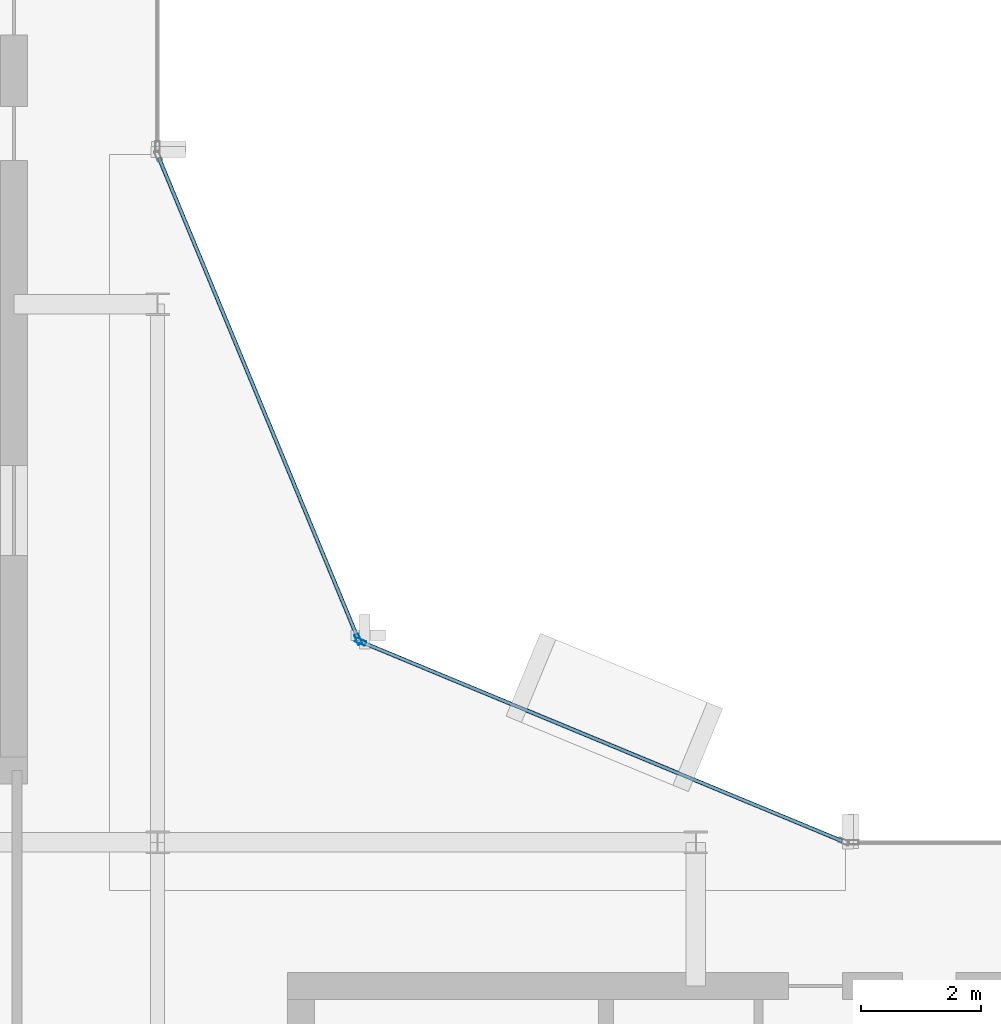
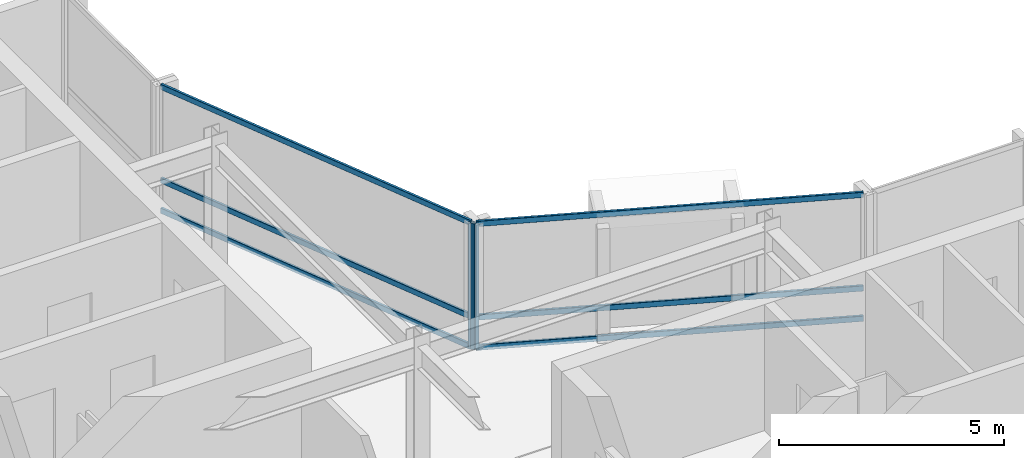
# One storey, part 8 of 19: 8 members, 2 elements without a shape of their own.
"""IFC4 building model written with IfcOpenShell, lengths in metres."""

from ifc_helpers import new_model, si_unit, direction, frame, origin, origin_2d, place, context, subcontext, project, spatial, hollow_rectangle, extrude, material, layer, layer_set, material_profile, profile_set, type_object, element, aggregate, save


model = new_model("IFC4")

# Units and contexts
model_context = context("Model", 3, precision=1e-05, world=origin(), true_north=direction((0.0, 1.0)))
body_context = subcontext(model_context, "Body", "Model", "MODEL_VIEW")
ifc_project = project(units=[si_unit("LENGTHUNIT", "METRE"), si_unit("AREAUNIT", "SQUARE_METRE"), si_unit("VOLUMEUNIT", "CUBIC_METRE"), si_unit("PLANEANGLEUNIT", "RADIAN"), si_unit("MASSUNIT", "GRAM", prefix="KILO")], contexts=[model_context])

# Site, building, storey
site_placement = place(None, origin())
site = spatial("IfcSite", under=ifc_project, at=site_placement, CompositionType="ELEMENT")
building_placement = place(site_placement, origin())
building = spatial("IfcBuilding", under=site, at=building_placement, Name="Solvaryn Broadcast Tower", CompositionType="ELEMENT")
storey_placement = place(building_placement, frame((0.0, 0.0, 266.699951171875)))
storey = spatial("IfcBuildingStorey", under=building, at=storey_placement, Name="L67", CompositionType="ELEMENT", Elevation=266.699951171875)

# Curtain wall, member
ifc_material_1 = material(Name="Aluminium and Terracotta Unitised Curtain Wall", Category="masonry")
ifc_layer = layer(ifc_material_1, 0.199951171875)
ifc_layer_set = layer_set([ifc_layer], Name="CW-SYS2-LOWMID")
curtain_wall_type = type_object("IfcCurtainWallType", Name="CW-SYS2-LOWMID", PredefinedType="NOTDEFINED", material=ifc_layer_set)
curtain_wall_1_placement = place(storey_placement, origin())
curtain_wall_1 = element("IfcCurtainWall", 1, at=curtain_wall_1_placement, inside=storey, type_object=curtain_wall_type, Name="L67 Curtain Wall CN1", PredefinedType="NOTDEFINED")
ifc_material_2 = material(Name="Anodised Aluminium 6063-T6", Category="aluminium")
ifc_material_profile_1 = material_profile(ifc_material_2, hollow_rectangle(XDim=0.074951171875, YDim=0.179931640625, WallThickness=0.00390625, InnerFilletRadius=0.00390625, OuterFilletRadius=0.008056640625, at=origin_2d()))
ifc_profile_set_1 = profile_set([ifc_material_profile_1], Name="Anodised Aluminium 6063-T6")
member_type_1 = type_object("IfcMemberType", Name="CW-MUL-180", PredefinedType="MULLION", material=ifc_profile_set_1)
member_1_placement = place(storey_placement, frame((30.395751953125, 30.3564453125, 0.0), z_axis=(0.0, 0.0, 1.0), x_axis=(-0.382646127145, -0.923894983957, 0.0)))
member_1 = element("IfcMember", 2, at=member_1_placement, type_object=member_type_1, Name="CWS2 mullion 2", PredefinedType="MULLION", context=body_context, shape_type="SweptSolid", body=[
    extrude(hollow_rectangle(XDim=0.074951171875, YDim=0.179931640625, WallThickness=0.00390625, InnerFilletRadius=0.00390625, OuterFilletRadius=0.008056640625, at=origin_2d()), origin(), (0.0, 0.0, 1.0), 3.420166015625),
])

curtain_wall_2_placement = place(storey_placement, origin())
curtain_wall_2 = element("IfcCurtainWall", 3, at=curtain_wall_2_placement, inside=storey, type_object=curtain_wall_type, Name="L67 Curtain Wall CN2", PredefinedType="NOTDEFINED")
member_2_placement = place(storey_placement, frame((30.3564453125, 30.395751953125, 0.0), z_axis=(0.0, 0.0, 1.0), x_axis=(-0.923894983957, -0.382646127145, 0.0)))
member_2 = element("IfcMember", 4, at=member_2_placement, type_object=member_type_1, Name="CWS2 mullion 1", PredefinedType="MULLION", context=body_context, shape_type="SweptSolid", body=[
    extrude(hollow_rectangle(XDim=0.074951171875, YDim=0.179931640625, WallThickness=0.00390625, InnerFilletRadius=0.00390625, OuterFilletRadius=0.008056640625, at=origin_2d()), origin(), (0.0, 0.0, 1.0), 3.420166015625),
])

# Member
ifc_material_3 = material(Name="Anodised Aluminium 6063-T6", Category="aluminium")
ifc_material_profile_2 = material_profile(ifc_material_3, hollow_rectangle(XDim=0.06494140625, YDim=0.14990234375, WallThickness=0.00390625, InnerFilletRadius=0.00390625, OuterFilletRadius=0.008056640625, at=origin_2d()))
ifc_profile_set_2 = profile_set([ifc_material_profile_2], Name="Anodised Aluminium 6063-T6")
member_type_2 = type_object("IfcMemberType", Name="CW-TRN-150", PredefinedType="USERDEFINED", material=ifc_profile_set_2)
member_3_placement = place(storey_placement, frame((38.444580078125, 27.02294921875, 0.030029296875), z_axis=(-0.923899282177, 0.382635748975, 0.0), x_axis=(-0.382635748975, -0.923899282177, 0.0)))
member_3 = element("IfcMember", 5, at=member_3_placement, type_object=member_type_2, Name="CWS2 transom 1.1", ObjectType="TRANSOM", PredefinedType="USERDEFINED", context=body_context, shape_type="SweptSolid", body=[
    extrude(hollow_rectangle(XDim=0.06494140625, YDim=0.14990234375, WallThickness=0.00390625, InnerFilletRadius=0.00390625, OuterFilletRadius=0.008056640625, at=origin_2d()), origin(), (0.0, 0.0, 1.0), 8.681884765625),
])

member_4_placement = place(storey_placement, frame((38.444580078125, 27.02294921875, 0.85009765625), z_axis=(-0.923899282177, 0.382635748975, 0.0), x_axis=(-0.382635748975, -0.923899282177, 0.0)))
member_4 = element("IfcMember", 6, at=member_4_placement, type_object=member_type_2, Name="CWS2 transom 1.2", ObjectType="TRANSOM", PredefinedType="USERDEFINED", context=body_context, shape_type="SweptSolid", body=[
    extrude(hollow_rectangle(XDim=0.06494140625, YDim=0.14990234375, WallThickness=0.00390625, InnerFilletRadius=0.00390625, OuterFilletRadius=0.008056640625, at=origin_2d()), origin(), (0.0, 0.0, 1.0), 8.681884765625),
])

member_5_placement = place(storey_placement, frame((38.444580078125, 27.02294921875, 3.39013671875), z_axis=(-0.923899282177, 0.382635748975, 0.0), x_axis=(-0.382635748975, -0.923899282177, 0.0)))
member_5 = element("IfcMember", 7, at=member_5_placement, type_object=member_type_2, Name="CWS2 transom 1.3", ObjectType="TRANSOM", PredefinedType="USERDEFINED", context=body_context, shape_type="SweptSolid", body=[
    extrude(hollow_rectangle(XDim=0.06494140625, YDim=0.14990234375, WallThickness=0.00390625, InnerFilletRadius=0.00390625, OuterFilletRadius=0.008056640625, at=origin_2d()), origin(), (0.0, 0.0, 1.0), 8.681884765625),
])

aggregate(curtain_wall_1, [member_1, member_3, member_4, member_5])

member_6_placement = place(storey_placement, frame((30.344970703125, 30.42333984375, 0.030029296875), z_axis=(-0.382635748975, 0.923899282177, 0.0), x_axis=(-0.923899282177, -0.382635748975, 0.0)))
member_6 = element("IfcMember", 8, at=member_6_placement, type_object=member_type_2, Name="CWS2 transom 1.1", ObjectType="TRANSOM", PredefinedType="USERDEFINED", context=body_context, shape_type="SweptSolid", body=[
    extrude(hollow_rectangle(XDim=0.06494140625, YDim=0.14990234375, WallThickness=0.00390625, InnerFilletRadius=0.00390625, OuterFilletRadius=0.008056640625, at=origin_2d()), origin(), (0.0, 0.0, 1.0), 8.681884765625),
])

member_7_placement = place(storey_placement, frame((30.344970703125, 30.42333984375, 0.85009765625), z_axis=(-0.382635748975, 0.923899282177, 0.0), x_axis=(-0.923899282177, -0.382635748975, 0.0)))
member_7 = element("IfcMember", 9, at=member_7_placement, type_object=member_type_2, Name="CWS2 transom 1.2", ObjectType="TRANSOM", PredefinedType="USERDEFINED", context=body_context, shape_type="SweptSolid", body=[
    extrude(hollow_rectangle(XDim=0.06494140625, YDim=0.14990234375, WallThickness=0.00390625, InnerFilletRadius=0.00390625, OuterFilletRadius=0.008056640625, at=origin_2d()), origin(), (0.0, 0.0, 1.0), 8.681884765625),
])

member_8_placement = place(storey_placement, frame((30.344970703125, 30.42333984375, 3.39013671875), z_axis=(-0.382635748975, 0.923899282177, 0.0), x_axis=(-0.923899282177, -0.382635748975, 0.0)))
member_8 = element("IfcMember", 10, at=member_8_placement, type_object=member_type_2, Name="CWS2 transom 1.3", ObjectType="TRANSOM", PredefinedType="USERDEFINED", context=body_context, shape_type="SweptSolid", body=[
    extrude(hollow_rectangle(XDim=0.06494140625, YDim=0.14990234375, WallThickness=0.00390625, InnerFilletRadius=0.00390625, OuterFilletRadius=0.008056640625, at=origin_2d()), origin(), (0.0, 0.0, 1.0), 8.681884765625),
])

aggregate(curtain_wall_2, [member_2, member_6, member_7, member_8])

save(model, "model.ifc")
